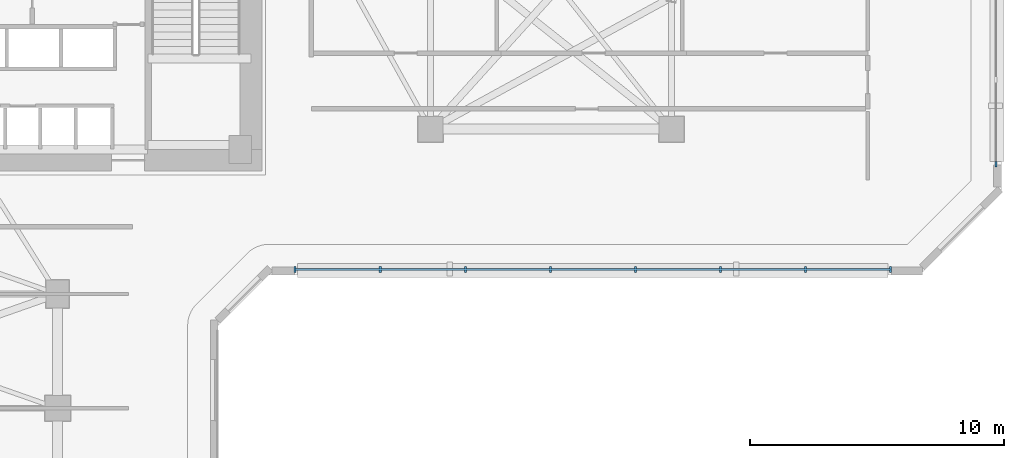
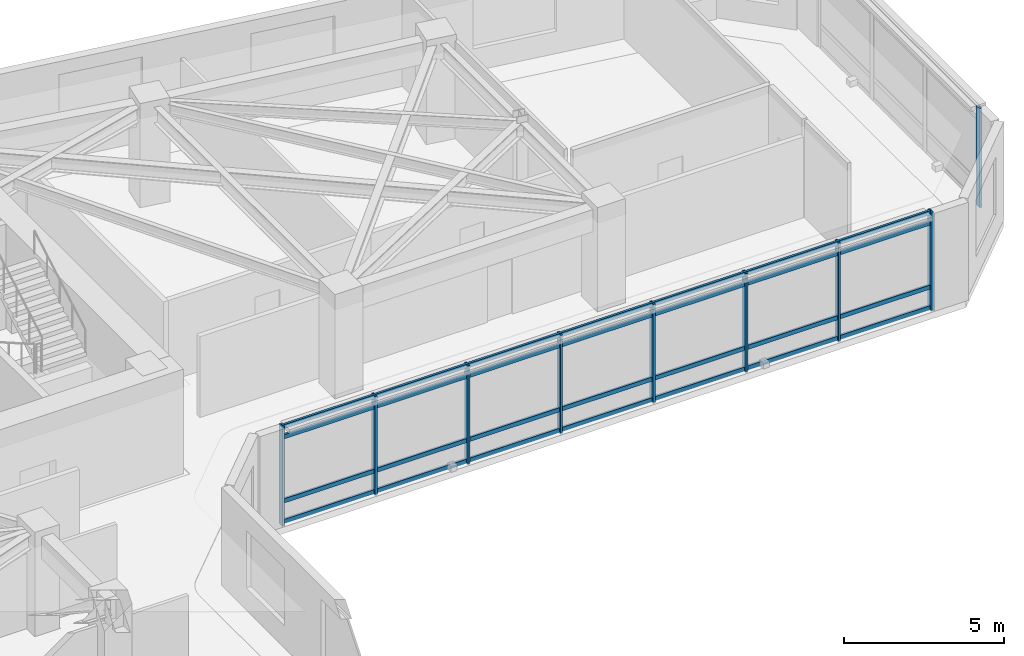
# One storey, part 2 of 12: 13 members, 2 elements without a shape of their own.
"""IFC4 building model written with IfcOpenShell, lengths in metres."""

from ifc_helpers import new_model, si_unit, direction, frame, origin, origin_2d, place, context, subcontext, project, spatial, rectangle, extrude, source, transform, mapped, material, material_profile, profile_set, type_object, element, aggregate, save


model = new_model("IFC4")

# Units and contexts
model_context = context("Model", 3, precision=1e-05, world=origin(), true_north=direction((0.0, 1.0)))
body_context = subcontext(model_context, "Body", "Model", "MODEL_VIEW")
ifc_project = project(units=[si_unit("LENGTHUNIT", "METRE"), si_unit("AREAUNIT", "SQUARE_METRE"), si_unit("VOLUMEUNIT", "CUBIC_METRE"), si_unit("PLANEANGLEUNIT", "RADIAN"), si_unit("MASSUNIT", "GRAM", prefix="KILO")], contexts=[model_context])

# Site, building, storey
site_placement = place(None, origin())
site = spatial("IfcSite", under=ifc_project, at=site_placement, CompositionType="ELEMENT")
building_placement = place(site_placement, origin())
building = spatial("IfcBuilding", under=site, at=building_placement, Name="Calvemar Wedge Station Tower", CompositionType="ELEMENT")
storey_placement = place(building_placement, frame((0.0, 0.0, 51.0)))
storey = spatial("IfcBuildingStorey", under=building, at=storey_placement, Name="L12", CompositionType="ELEMENT", Elevation=51.0)

# Curtain wall, members
ifc_material = material(Name="Anodised aluminium 6063-T6", Category="aluminium")
curtain_wall_type = type_object("IfcCurtainWallType", Name="CW1", PredefinedType="NOTDEFINED", material=ifc_material)
curtain_wall_1_placement = place(storey_placement, origin())
curtain_wall_1 = element("IfcCurtainWall", 1, at=curtain_wall_1_placement, inside=storey, type_object=curtain_wall_type, Name="Storey L12 CW1 Recessed Unitised Curtain Wall 6", PredefinedType="NOTDEFINED")
ifc_material_profile_1 = material_profile(ifc_material, rectangle(XDim=0.080078125, YDim=0.219970703125, at=origin_2d()), Name="AL-MUL-80x220")
ifc_profile_set_1 = profile_set([ifc_material_profile_1], Name="Anodised aluminium 6063-T6")
member_type_1 = type_object("IfcMemberType", Name="CW1-MUL", PredefinedType="MULLION", material=ifc_profile_set_1)
shared_shape_1 = source(origin(), body_context, "Body", "SweptSolid", [
    extrude(rectangle(XDim=0.080078125, YDim=0.219970703125, at=origin_2d()), origin(), (0.0, 0.0, 1.0), 3.800048828125),
])
member_1_placement = place(storey_placement, frame((33.166015625, 29.469970703125, -0.050048828125), z_axis=(0.0, 0.0, 1.0), x_axis=(1.0, 0.0, 0.0)))
member_1 = element("IfcMember", 2, at=member_1_placement, type_object=member_type_1, Name="CW1 mullion 1", PredefinedType="MULLION", context=body_context, shape_type="MappedRepresentation", body=[
    mapped(shared_shape_1, transform((0.0, 0.0, 0.0), scale=1.0)),
])
member_2_placement = place(storey_placement, frame((36.51904296875, 29.469970703125, -0.050048828125), z_axis=(0.0, 0.0, 1.0), x_axis=(1.0, 0.0, 0.0)))
member_2 = element("IfcMember", 3, at=member_2_placement, type_object=member_type_1, Name="CW1 mullion 2", PredefinedType="MULLION", context=body_context, shape_type="MappedRepresentation", body=[
    mapped(shared_shape_1, transform((0.0, 0.0, 0.0), scale=1.0)),
])
member_3_placement = place(storey_placement, frame((39.872314453125, 29.469970703125, -0.050048828125), z_axis=(0.0, 0.0, 1.0), x_axis=(1.0, 0.0, 0.0)))
member_3 = element("IfcMember", 4, at=member_3_placement, type_object=member_type_1, Name="CW1 mullion 3", PredefinedType="MULLION", context=body_context, shape_type="MappedRepresentation", body=[
    mapped(shared_shape_1, transform((0.0, 0.0, 0.0), scale=1.0)),
])
member_4_placement = place(storey_placement, frame((43.225341796875, 29.469970703125, -0.050048828125), z_axis=(0.0, 0.0, 1.0), x_axis=(1.0, 0.0, 0.0)))
member_4 = element("IfcMember", 5, at=member_4_placement, type_object=member_type_1, Name="CW1 mullion 4", PredefinedType="MULLION", context=body_context, shape_type="MappedRepresentation", body=[
    mapped(shared_shape_1, transform((0.0, 0.0, 0.0), scale=1.0)),
])
member_5_placement = place(storey_placement, frame((46.57861328125, 29.469970703125, -0.050048828125), z_axis=(0.0, 0.0, 1.0), x_axis=(1.0, 0.0, 0.0)))
member_5 = element("IfcMember", 6, at=member_5_placement, type_object=member_type_1, Name="CW1 mullion 5", PredefinedType="MULLION", context=body_context, shape_type="MappedRepresentation", body=[
    mapped(shared_shape_1, transform((0.0, 0.0, 0.0), scale=1.0)),
])
member_6_placement = place(storey_placement, frame((49.931640625, 29.469970703125, -0.050048828125), z_axis=(0.0, 0.0, 1.0), x_axis=(1.0, 0.0, 0.0)))
member_6 = element("IfcMember", 7, at=member_6_placement, type_object=member_type_1, Name="CW1 mullion 6", PredefinedType="MULLION", context=body_context, shape_type="MappedRepresentation", body=[
    mapped(shared_shape_1, transform((0.0, 0.0, 0.0), scale=1.0)),
])
member_7_placement = place(storey_placement, frame((53.284912109375, 29.469970703125, -0.050048828125), z_axis=(0.0, 0.0, 1.0), x_axis=(1.0, 0.0, 0.0)))
member_7 = element("IfcMember", 8, at=member_7_placement, type_object=member_type_1, Name="CW1 mullion 7", PredefinedType="MULLION", context=body_context, shape_type="MappedRepresentation", body=[
    mapped(shared_shape_1, transform((0.0, 0.0, 0.0), scale=1.0)),
])
member_8_placement = place(storey_placement, frame((56.637939453125, 29.469970703125, -0.050048828125), z_axis=(0.0, 0.0, 1.0), x_axis=(1.0, 0.0, 0.0)))
member_8 = element("IfcMember", 9, at=member_8_placement, type_object=member_type_1, Name="CW1 mullion 8", PredefinedType="MULLION", context=body_context, shape_type="MappedRepresentation", body=[
    mapped(shared_shape_1, transform((0.0, 0.0, 0.0), scale=1.0)),
])

# Curtain wall, member
curtain_wall_2_placement = place(storey_placement, origin())
curtain_wall_2 = element("IfcCurtainWall", 10, at=curtain_wall_2_placement, inside=storey, type_object=curtain_wall_type, Name="Storey L12 CW1 Recessed Unitised Curtain Wall 8", PredefinedType="NOTDEFINED")
member_9_placement = place(storey_placement, frame((60.7900390625, 33.6220703125, -0.050048828125), z_axis=(0.0, 0.0, 1.0), x_axis=(1.0, 0.0, 0.0)))
member_9 = element("IfcMember", 11, at=member_9_placement, type_object=member_type_1, Name="CW1 mullion 1", PredefinedType="MULLION", context=body_context, shape_type="MappedRepresentation", body=[
    mapped(shared_shape_1, transform((0.0, 0.0, 0.0), scale=1.0)),
])
aggregate(curtain_wall_2, [member_9])

# Member
ifc_material_profile_2 = material_profile(ifc_material, rectangle(XDim=0.080078125, YDim=0.159912109375, at=origin_2d()), Name="AL-TRN-80x160")
ifc_profile_set_2 = profile_set([ifc_material_profile_2], Name="Anodised aluminium 6063-T6")
member_type_2 = type_object("IfcMemberType", Name="CW1-TRN", PredefinedType="USERDEFINED", material=ifc_profile_set_2)
shared_shape_2 = source(origin(), body_context, "Body", "SweptSolid", [
    extrude(rectangle(XDim=0.080078125, YDim=0.159912109375, at=origin_2d()), origin(), (0.0, 0.0, 1.0), 23.471923828125),
])
member_10_placement = place(storey_placement, frame((33.166015625, 29.469970703125, 0.06005859375), z_axis=(1.0, 0.0, 0.0), x_axis=(0.0, 1.0, 0.0)))
member_10 = element("IfcMember", 12, at=member_10_placement, type_object=member_type_2, Name="CW1 transom 1", ObjectType="TRANSOM", PredefinedType="USERDEFINED", context=body_context, shape_type="MappedRepresentation", body=[
    mapped(shared_shape_2, transform((0.0, 0.0, 0.0), scale=1.0)),
])

member_11_placement = place(storey_placement, frame((33.166015625, 29.469970703125, 0.85009765625), z_axis=(1.0, 0.0, 0.0), x_axis=(0.0, 1.0, 0.0)))
member_11 = element("IfcMember", 13, at=member_11_placement, type_object=member_type_2, Name="CW1 transom 2", ObjectType="TRANSOM", PredefinedType="USERDEFINED", context=body_context, shape_type="MappedRepresentation", body=[
    mapped(shared_shape_2, transform((0.0, 0.0, 0.0), scale=1.0)),
])

member_12_placement = place(storey_placement, frame((33.166015625, 29.469970703125, 3.300048828125), z_axis=(1.0, 0.0, 0.0), x_axis=(0.0, 1.0, 0.0)))
member_12 = element("IfcMember", 14, at=member_12_placement, type_object=member_type_2, Name="CW1 transom 3", ObjectType="TRANSOM", PredefinedType="USERDEFINED", context=body_context, shape_type="MappedRepresentation", body=[
    mapped(shared_shape_2, transform((0.0, 0.0, 0.0), scale=1.0)),
])

member_13_placement = place(storey_placement, frame((33.166015625, 29.469970703125, 3.68994140625), z_axis=(1.0, 0.0, 0.0), x_axis=(0.0, 1.0, 0.0)))
member_13 = element("IfcMember", 15, at=member_13_placement, type_object=member_type_2, Name="CW1 transom 4", ObjectType="TRANSOM", PredefinedType="USERDEFINED", context=body_context, shape_type="MappedRepresentation", body=[
    mapped(shared_shape_2, transform((0.0, 0.0, 0.0), scale=1.0)),
])

aggregate(curtain_wall_1, [member_1, member_2, member_3, member_4, member_5, member_6, member_7, member_8, member_10, member_11, member_12, member_13])

save(model, "model.ifc")
